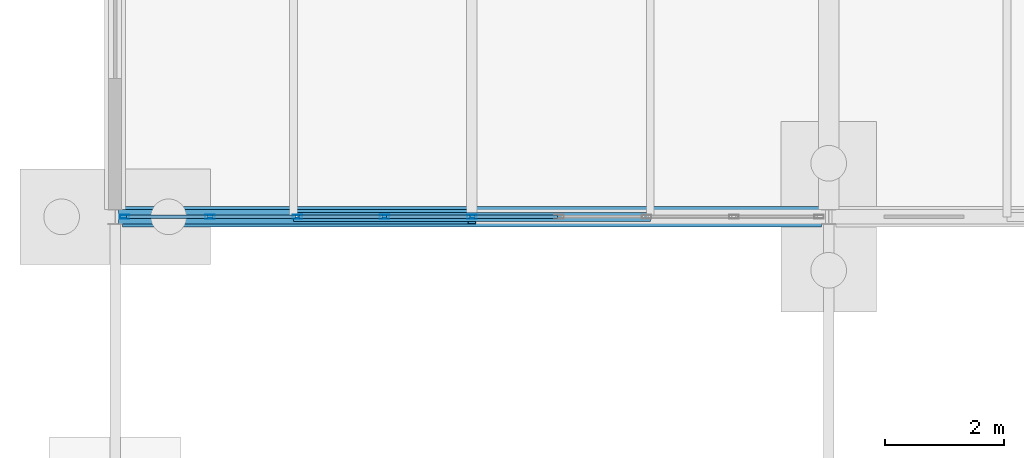
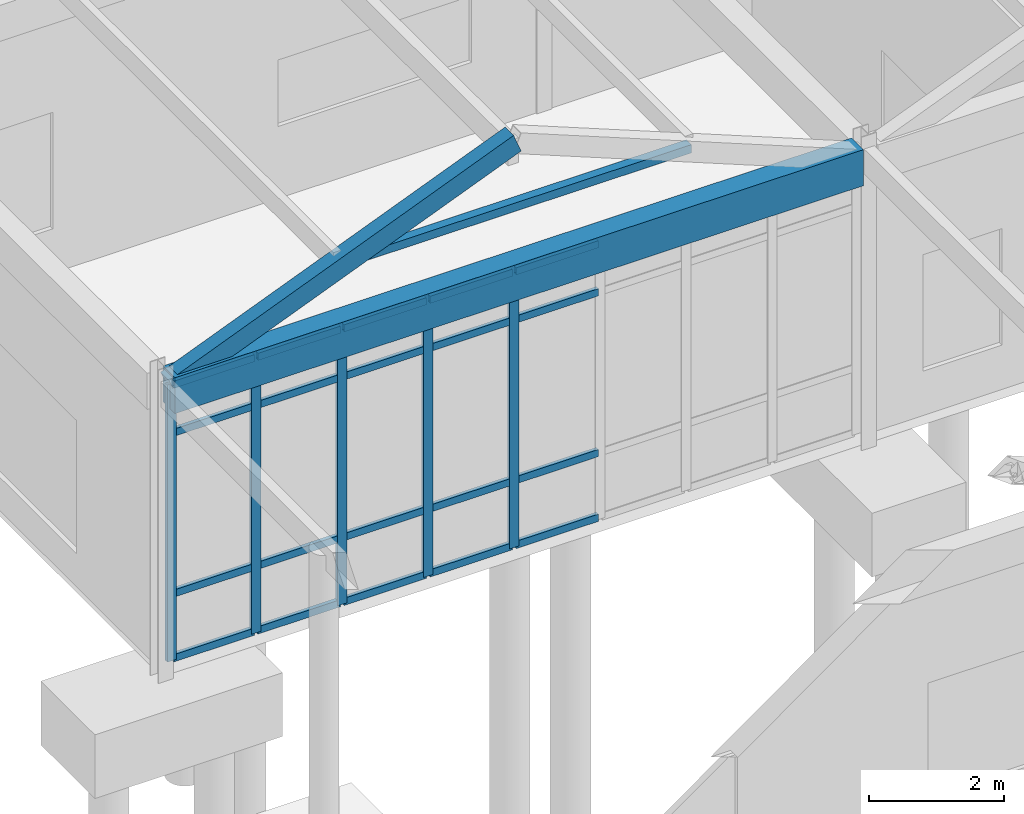
# One storey, part 41 of 188: 27 members, 1 beam, 1 element without a shape of its own.
"""IFC4 building model written with IfcOpenShell, lengths in metres."""

import ifcopenshell
import ifcopenshell.guid

model = None  # the IFC model being written
_history = None  # IfcOwnerHistory: only IFC2X3 demands one
_inside = {}  # id of a spatial element -> (the spatial element, [elements in it])
_under = {}  # id of a project, library or spatial element -> (it, [spatial elements below it])
_declared = {}  # id of a project -> (the project, [libraries it declares])
_typed = {}  # id of a type object -> (the type object, [elements of that type])
_made_of = {}  # id of a material, layer set ... -> (it, [elements and type objects made of it])


def new_model(schema):
    """Start an empty IFC model of exactly this schema.

    Asked for "IFC4X3", IfcOpenShell would pick the latest addendum, in which some entities
    have other attributes; the version numbers below select the first issue.
    IFC2X3 requires an IfcOwnerHistory on every rooted entity: one is made here for all.
    """
    global model, _history
    if schema == "IFC4X3":
        model = ifcopenshell.file(schema_version=(4, 3, 0, 0))
    else:
        model = ifcopenshell.file(schema=schema)
    _inside.clear()
    _under.clear()
    _declared.clear()
    _typed.clear()
    _made_of.clear()
    _history = None
    if model.schema == "IFC2X3":
        org = make("IfcOrganization", Name="unknown")
        user = make(
            "IfcPersonAndOrganization",
            ThePerson=make("IfcPerson", FamilyName="unknown"),
            TheOrganization=org,
        )
        app = make(
            "IfcApplication",
            ApplicationDeveloper=org,
            Version="unknown",
            ApplicationFullName="unknown",
            ApplicationIdentifier="unknown",
        )
        _history = make(
            "IfcOwnerHistory",
            OwningUser=user,
            OwningApplication=app,
            ChangeAction="ADDED",
            CreationDate=0,
        )
    return model


def make(cls, **values):
    """One entity of the class cls with the attributes given. An attribute that is None is left unset."""
    return model.create_entity(
        cls, **{name: value for name, value in values.items() if value is not None}
    )


def rooted(cls, **values):
    """An entity with a GlobalId (a new one), such as an element, a storey or a relation."""
    return make(cls, GlobalId=ifcopenshell.guid.new(), OwnerHistory=_history, **values)


def si_unit(unit_type, name, prefix=None):
    """IfcSIUnit, for example si_unit("LENGTHUNIT", "METRE", prefix="MILLI")."""
    return make("IfcSIUnit", UnitType=unit_type, Prefix=prefix, Name=name)


def assignment(units):
    """IfcUnitAssignment: the units of a project."""
    return None if units is None else make("IfcUnitAssignment", Units=units)


def point(xyz):
    """IfcCartesianPoint."""
    return None if xyz is None else make("IfcCartesianPoint", Coordinates=xyz)


def direction(xyz):
    """IfcDirection."""
    return None if xyz is None else make("IfcDirection", DirectionRatios=xyz)


def frame(location, z_axis=None, x_axis=None):
    """IfcAxis2Placement3D, a coordinate frame: its origin and axes. An axis left out is left unset."""
    return make(
        "IfcAxis2Placement3D",
        Location=point(location),
        Axis=direction(z_axis),
        RefDirection=direction(x_axis),
    )


def frame_2d(location, x_axis=None):
    """IfcAxis2Placement2D, a coordinate frame in the plane: its origin and x axis."""
    return make(
        "IfcAxis2Placement2D", Location=point(location), RefDirection=direction(x_axis)
    )


def origin():
    """The frame at (0, 0, 0) with its axes left unset."""
    return frame((0.0, 0.0, 0.0))


def origin_2d():
    """The frame at (0, 0) in the plane with its x axis left unset."""
    return frame_2d((0.0, 0.0))


def place(relative_to, where):
    """IfcLocalPlacement: puts the frame where relative to a parent placement (None: the world)."""
    return make(
        "IfcLocalPlacement", PlacementRelTo=relative_to, RelativePlacement=where
    )


def context(
    kind, dimensions, precision=None, world=None, true_north=None, identifier=None
):
    """IfcGeometricRepresentationContext, for example the 3D "Model" context."""
    return make(
        "IfcGeometricRepresentationContext",
        ContextIdentifier=identifier,
        ContextType=kind,
        CoordinateSpaceDimension=dimensions,
        Precision=precision,
        WorldCoordinateSystem=world,
        TrueNorth=true_north,
    )


def subcontext(parent, identifier, kind, view, scale=None):
    """IfcGeometricRepresentationSubContext, for example "Body" below "Model"."""
    return make(
        "IfcGeometricRepresentationSubContext",
        ContextIdentifier=identifier,
        ContextType=kind,
        ParentContext=parent,
        TargetScale=scale,
        TargetView=view,
    )


def project(units=None, contexts=None):
    """IfcProject with its units and contexts."""
    return rooted(
        "IfcProject",
        Name="project",
        RepresentationContexts=contexts,
        UnitsInContext=assignment(units),
    )


def spatial(cls, under=None, at=None, **own):
    """A site, building, storey or space (cls), placed at a placement, below another one or the project."""
    s = rooted(cls, ObjectPlacement=at, **own)
    if under is not None:
        _under.setdefault(under.id(), (under, []))[1].append(s)
    return s


def profile(cls, at=None, kind="AREA", **sizes):
    """A parametric profile (cls). Its sizes go by their IFC names, for example OverallWidth=200.0."""
    return make(cls, ProfileType=kind, Position=at, **sizes)


def rectangle(**sizes):
    """IfcRectangleProfileDef."""
    return profile("IfcRectangleProfileDef", **sizes)


def hollow_rectangle(**sizes):
    """IfcRectangleHollowProfileDef."""
    return profile("IfcRectangleHollowProfileDef", **sizes)


def extrude(swept, where, along, depth):
    """IfcExtrudedAreaSolid: the profile swept, set in the frame where, extruded along a direction by depth."""
    return make(
        "IfcExtrudedAreaSolid",
        SweptArea=swept,
        Position=where,
        ExtrudedDirection=direction(along),
        Depth=depth,
    )


def shape(context_of_items, identifier, shape_type, items):
    """IfcShapeRepresentation: the items that make up one representation, for example the "Body"."""
    return make(
        "IfcShapeRepresentation",
        ContextOfItems=context_of_items,
        RepresentationIdentifier=identifier,
        RepresentationType=shape_type,
        Items=items,
    )


def material(Name=None, Category=None):
    """IfcMaterial."""
    return make("IfcMaterial", Name=Name, Category=Category)


def layer(
    of_material, thickness, ventilated=None, Name=None, Category=None, Priority=None
):
    """IfcMaterialLayer: one layer of a wall or slab, of a material (None: an air gap)."""
    return make(
        "IfcMaterialLayer",
        Material=of_material,
        LayerThickness=thickness,
        IsVentilated=ventilated,
        Name=Name,
        Category=Category,
        Priority=Priority,
    )


def layer_set(layers, Name=None):
    """IfcMaterialLayerSet."""
    return make("IfcMaterialLayerSet", MaterialLayers=layers, LayerSetName=Name)


def material_profile(
    of_material, cross_section, Name=None, Category=None, Priority=None
):
    """IfcMaterialProfile: a cross section and its material."""
    return make(
        "IfcMaterialProfile",
        Name=Name,
        Material=of_material,
        Profile=cross_section,
        Priority=Priority,
        Category=Category,
    )


def profile_set(profiles, Name=None, composite=None):
    """IfcMaterialProfileSet."""
    return make(
        "IfcMaterialProfileSet",
        Name=Name,
        MaterialProfiles=profiles,
        CompositeProfile=composite,
    )


def made_of(thing, what):
    """Note that an element or type object is made of a material, layer set ...; save() writes the relation."""
    if what is not None:
        _made_of.setdefault(what.id(), (what, []))[1].append(thing)
    return thing


def type_object(cls, material=None, **own):
    """A type object (cls), such as IfcWallType, which elements share."""
    return made_of(rooted(cls, **own), material)


def element(
    cls,
    number,
    at=None,
    inside=None,
    cuts=None,
    type_object=None,
    material=None,
    context=None,
    identifier="Body",
    shape_type=None,
    held_by="IfcProductDefinitionShape",
    body=None,
    shapes=None,
    **own,
):
    """One element of the class cls, such as IfcWall. Its Tag is "e" and its number.

    at: its placement. inside: the storey or other place that contains it. cuts: it is an
    opening in that element (IfcRelVoidsElement). A single representation is given by context,
    identifier, shape_type and body (its items); several are given by shapes. held_by: the class
    of the entity that holds the representations. save() writes the other relations.
    """
    e = rooted(cls, Tag="e%d" % number, ObjectPlacement=at, **own)
    if body is not None:
        shapes = [shape(context, identifier, shape_type, body)]
    if shapes is not None:
        e.Representation = make(held_by, Representations=shapes)
    if inside is not None:
        _inside.setdefault(inside.id(), (inside, []))[1].append(e)
    if cuts is not None:
        rooted(
            "IfcRelVoidsElement", RelatingBuildingElement=cuts, RelatedOpeningElement=e
        )
    if type_object is not None:
        _typed.setdefault(type_object.id(), (type_object, []))[1].append(e)
    return made_of(e, material)


def aggregate(whole, parts):
    """IfcRelAggregates: a whole, such as a stair, and the parts it consists of."""
    return rooted("IfcRelAggregates", RelatingObject=whole, RelatedObjects=parts)


def save(model, path):
    """Write the relations noted so far, then the file.

    IfcRelAggregates (storeys below a building ...), IfcRelContainedInSpatialStructure (elements
    in a storey), IfcRelDefinesByType, IfcRelAssociatesMaterial and IfcRelDeclares: one each for
    every whole, place, type object, material and project.
    """
    for whole, parts in _under.values():
        aggregate(whole, parts)
    for where, things in _inside.values():
        rooted(
            "IfcRelContainedInSpatialStructure",
            RelatedElements=things,
            RelatingStructure=where,
        )
    for kind, things in _typed.values():
        rooted("IfcRelDefinesByType", RelatedObjects=things, RelatingType=kind)
    for what, things in _made_of.values():
        rooted("IfcRelAssociatesMaterial", RelatedObjects=things, RelatingMaterial=what)
    for by, libraries in _declared.values():
        rooted("IfcRelDeclares", RelatingContext=by, RelatedDefinitions=libraries)
    model.write(path)


model = new_model("IFC4")

# Units and contexts
model_context = context("Model", 3, precision=1e-05, world=origin(), true_north=direction((0.0, 1.0)))
body_context = subcontext(model_context, "Body", "Model", "MODEL_VIEW")
ifc_project = project(units=[si_unit("LENGTHUNIT", "METRE"), si_unit("AREAUNIT", "SQUARE_METRE"), si_unit("VOLUMEUNIT", "CUBIC_METRE"), si_unit("PLANEANGLEUNIT", "RADIAN"), si_unit("MASSUNIT", "GRAM", prefix="KILO")], contexts=[model_context])

# Site, building, storey
site_placement = place(None, origin())
site = spatial("IfcSite", under=ifc_project, at=site_placement, CompositionType="ELEMENT")
building_placement = place(site_placement, origin())
building = spatial("IfcBuilding", under=site, at=building_placement, Name="Pandanus Reach Market Hall", CompositionType="ELEMENT")
storey_placement = place(building_placement, origin())
storey = spatial("IfcBuildingStorey", under=building, at=storey_placement, Name="L00", CompositionType="ELEMENT", Elevation=0.0)

# Beam
ifc_material_1 = material(Name="Concrete N40 (40 MPa)", Category="concrete")
ifc_material_profile_1 = material_profile(ifc_material_1, rectangle(XDim=0.35009765625, YDim=0.64990234375, at=origin_2d()), Name="RC350x650", Category="LoadBearing")
ifc_profile_set_1 = profile_set([ifc_material_profile_1], Name="Concrete N40 (40 MPa)")
beam_type = type_object("IfcBeamType", Name="BM-RC350-E", PredefinedType="SPANDREL", material=ifc_profile_set_1)
beam_placement = place(storey_placement, frame((0.125, 57.60009765625, 4.8798828125), z_axis=(1.0, 0.0, 0.0), x_axis=(0.0, 1.0, 0.0)))
element("IfcBeam", 1, at=beam_placement, inside=storey, type_object=beam_type, Name="Framing beam BM-RC350-E L00.1164", PredefinedType="SPANDREL", context=body_context, shape_type="SweptSolid", body=[
    extrude(rectangle(XDim=0.35009765625, YDim=0.64990234375, at=origin_2d()), origin(), (0.0, 0.0, 1.0), 11.75),
])

# Member
ifc_material_2 = material(Name="Steel Grade 350 (350 MPa)", Category="steel")
ifc_material_profile_2 = material_profile(ifc_material_2, hollow_rectangle(XDim=0.14990234375, YDim=0.14990234375, WallThickness=0.009033203125, at=origin_2d()), Name="150x150x9.0SHS", Category="LoadBearing")
ifc_profile_set_2 = profile_set([ifc_material_profile_2], Name="Steel Grade 350 (350 MPa)")
member_type_1 = type_object("IfcMemberType", Name="CL-SHS150-I", PredefinedType="COLLAR", material=ifc_profile_set_2)
member_1_placement = place(storey_placement, frame((3.0, 57.60009765625, 6.166748046875), z_axis=(1.0, 0.0, 0.0), x_axis=(0.0, 1.0, 0.0)))
element("IfcMember", 2, at=member_1_placement, inside=storey, type_object=member_type_1, Name="Gable collar tie R2.B1", PredefinedType="COLLAR", context=body_context, shape_type="SweptSolid", body=[
    extrude(hollow_rectangle(XDim=0.14990234375, YDim=0.14990234375, WallThickness=0.009033203125, at=origin_2d()), origin(), (0.0, 0.0, 1.0), 6.0),
])

# Curtain wall, members
ifc_material_3 = material(Name="Bronze anodised aluminium and low-E glass", Category="aluminium")
ifc_layer = layer(ifc_material_3, 0.159912109375, Name="CW-07")
ifc_layer_set = layer_set([ifc_layer], Name="Bronze anodised aluminium and low-E glass")
curtain_wall_type = type_object("IfcCurtainWallType", Name="CW-07", PredefinedType="NOTDEFINED", material=ifc_layer_set)
curtain_wall_placement = place(storey_placement, origin())
curtain_wall = element("IfcCurtainWall", 3, at=curtain_wall_placement, inside=storey, type_object=curtain_wall_type, Name="Glazed curtain wall CW-07 CW-0041", PredefinedType="NOTDEFINED")
ifc_material_4 = material(Name="Bronze anodised aluminium", Category="aluminium")
ifc_material_profile_3 = material_profile(ifc_material_4, hollow_rectangle(XDim=0.06494140625, YDim=0.159912109375, WallThickness=0.00390625, at=origin_2d()), Name="ALU65x160", Category="LoadBearing")
ifc_profile_set_3 = profile_set([ifc_material_profile_3], Name="Bronze anodised aluminium")
member_type_2 = type_object("IfcMemberType", Name="CW-M1", PredefinedType="MULLION", material=ifc_profile_set_3)
member_2_placement = place(storey_placement, frame((0.159423828125, 57.60009765625, 0.0), z_axis=(0.0, 0.0, 1.0), x_axis=(0.0, 1.0, 0.0)))
member_2 = element("IfcMember", 4, at=member_2_placement, type_object=member_type_2, Name="CW-07 mullion 1", PredefinedType="MULLION", context=body_context, shape_type="SweptSolid", body=[
    extrude(hollow_rectangle(XDim=0.06494140625, YDim=0.159912109375, WallThickness=0.00390625, at=origin_2d()), origin(), (0.0, 0.0, 1.0), 5.0),
])
member_3_placement = place(storey_placement, frame((1.59521484375, 57.60009765625, 0.0), z_axis=(0.0, 0.0, 1.0), x_axis=(0.0, 1.0, 0.0)))
member_3 = element("IfcMember", 5, at=member_3_placement, type_object=member_type_2, Name="CW-07 mullion 2", PredefinedType="MULLION", context=body_context, shape_type="SweptSolid", body=[
    extrude(hollow_rectangle(XDim=0.06494140625, YDim=0.159912109375, WallThickness=0.00390625, at=origin_2d()), origin(), (0.0, 0.0, 1.0), 5.0),
])
member_4_placement = place(storey_placement, frame((3.0634765625, 57.60009765625, 0.0), z_axis=(0.0, 0.0, 1.0), x_axis=(0.0, 1.0, 0.0)))
member_4 = element("IfcMember", 6, at=member_4_placement, type_object=member_type_2, Name="CW-07 mullion 3", PredefinedType="MULLION", context=body_context, shape_type="SweptSolid", body=[
    extrude(hollow_rectangle(XDim=0.06494140625, YDim=0.159912109375, WallThickness=0.00390625, at=origin_2d()), origin(), (0.0, 0.0, 1.0), 5.0),
])
member_5_placement = place(storey_placement, frame((4.53173828125, 57.60009765625, 0.0), z_axis=(0.0, 0.0, 1.0), x_axis=(0.0, 1.0, 0.0)))
member_5 = element("IfcMember", 7, at=member_5_placement, type_object=member_type_2, Name="CW-07 mullion 4", PredefinedType="MULLION", context=body_context, shape_type="SweptSolid", body=[
    extrude(hollow_rectangle(XDim=0.06494140625, YDim=0.159912109375, WallThickness=0.00390625, at=origin_2d()), origin(), (0.0, 0.0, 1.0), 5.0),
])
member_6_placement = place(storey_placement, frame((6.0, 57.60009765625, 0.0), z_axis=(0.0, 0.0, 1.0), x_axis=(0.0, 1.0, 0.0)))
member_6 = element("IfcMember", 8, at=member_6_placement, type_object=member_type_2, Name="CW-07 mullion 5", PredefinedType="MULLION", context=body_context, shape_type="SweptSolid", body=[
    extrude(hollow_rectangle(XDim=0.06494140625, YDim=0.159912109375, WallThickness=0.00390625, at=origin_2d()), origin(), (0.0, 0.0, 1.0), 5.0),
])
ifc_material_profile_4 = material_profile(ifc_material_4, hollow_rectangle(XDim=0.06494140625, YDim=0.1298828125, WallThickness=0.00390625, at=origin_2d()), Name="ALU65x130", Category="LoadBearing")
ifc_profile_set_4 = profile_set([ifc_material_profile_4], Name="Bronze anodised aluminium")
member_type_3 = type_object("IfcMemberType", Name="CW-T1", PredefinedType="USERDEFINED", material=ifc_profile_set_4)
member_7_placement = place(storey_placement, frame((0.19189453125, 57.60009765625, 0.032470703125), z_axis=(1.0, 0.0, 0.0), x_axis=(0.0, 1.0, 0.0)))
member_7 = element("IfcMember", 9, at=member_7_placement, type_object=member_type_3, Name="CW-07 transom 1.1", ObjectType="TRANSOM", PredefinedType="USERDEFINED", context=body_context, shape_type="SweptSolid", body=[
    extrude(hollow_rectangle(XDim=0.06494140625, YDim=0.1298828125, WallThickness=0.00390625, at=origin_2d()), origin(), (0.0, 0.0, 1.0), 1.370849609375),
])
member_8_placement = place(storey_placement, frame((0.19189453125, 57.60009765625, 1.199951171875), z_axis=(1.0, 0.0, 0.0), x_axis=(0.0, 1.0, 0.0)))
member_8 = element("IfcMember", 10, at=member_8_placement, type_object=member_type_3, Name="CW-07 transom 1.2", ObjectType="TRANSOM", PredefinedType="USERDEFINED", context=body_context, shape_type="SweptSolid", body=[
    extrude(hollow_rectangle(XDim=0.06494140625, YDim=0.1298828125, WallThickness=0.00390625, at=origin_2d()), origin(), (0.0, 0.0, 1.0), 1.370849609375),
])
member_9_placement = place(storey_placement, frame((0.19189453125, 57.60009765625, 4.10009765625), z_axis=(1.0, 0.0, 0.0), x_axis=(0.0, 1.0, 0.0)))
member_9 = element("IfcMember", 11, at=member_9_placement, type_object=member_type_3, Name="CW-07 transom 1.3", ObjectType="TRANSOM", PredefinedType="USERDEFINED", context=body_context, shape_type="SweptSolid", body=[
    extrude(hollow_rectangle(XDim=0.06494140625, YDim=0.1298828125, WallThickness=0.00390625, at=origin_2d()), origin(), (0.0, 0.0, 1.0), 1.370849609375),
])
member_10_placement = place(storey_placement, frame((0.19189453125, 57.60009765625, 4.967529296875), z_axis=(1.0, 0.0, 0.0), x_axis=(0.0, 1.0, 0.0)))
member_10 = element("IfcMember", 12, at=member_10_placement, type_object=member_type_3, Name="CW-07 transom 1.4", ObjectType="TRANSOM", PredefinedType="USERDEFINED", context=body_context, shape_type="SweptSolid", body=[
    extrude(hollow_rectangle(XDim=0.06494140625, YDim=0.1298828125, WallThickness=0.00390625, at=origin_2d()), origin(), (0.0, 0.0, 1.0), 1.370849609375),
])
member_11_placement = place(storey_placement, frame((1.627685546875, 57.60009765625, 0.032470703125), z_axis=(1.0, 0.0, 0.0), x_axis=(0.0, 1.0, 0.0)))
member_11 = element("IfcMember", 13, at=member_11_placement, type_object=member_type_3, Name="CW-07 transom 2.1", ObjectType="TRANSOM", PredefinedType="USERDEFINED", context=body_context, shape_type="SweptSolid", body=[
    extrude(hollow_rectangle(XDim=0.06494140625, YDim=0.1298828125, WallThickness=0.00390625, at=origin_2d()), origin(), (0.0, 0.0, 1.0), 1.4033203125),
])
member_12_placement = place(storey_placement, frame((1.627685546875, 57.60009765625, 1.199951171875), z_axis=(1.0, 0.0, 0.0), x_axis=(0.0, 1.0, 0.0)))
member_12 = element("IfcMember", 14, at=member_12_placement, type_object=member_type_3, Name="CW-07 transom 2.2", ObjectType="TRANSOM", PredefinedType="USERDEFINED", context=body_context, shape_type="SweptSolid", body=[
    extrude(hollow_rectangle(XDim=0.06494140625, YDim=0.1298828125, WallThickness=0.00390625, at=origin_2d()), origin(), (0.0, 0.0, 1.0), 1.4033203125),
])
member_13_placement = place(storey_placement, frame((1.627685546875, 57.60009765625, 4.10009765625), z_axis=(1.0, 0.0, 0.0), x_axis=(0.0, 1.0, 0.0)))
member_13 = element("IfcMember", 15, at=member_13_placement, type_object=member_type_3, Name="CW-07 transom 2.3", ObjectType="TRANSOM", PredefinedType="USERDEFINED", context=body_context, shape_type="SweptSolid", body=[
    extrude(hollow_rectangle(XDim=0.06494140625, YDim=0.1298828125, WallThickness=0.00390625, at=origin_2d()), origin(), (0.0, 0.0, 1.0), 1.4033203125),
])
member_14_placement = place(storey_placement, frame((1.627685546875, 57.60009765625, 4.967529296875), z_axis=(1.0, 0.0, 0.0), x_axis=(0.0, 1.0, 0.0)))
member_14 = element("IfcMember", 16, at=member_14_placement, type_object=member_type_3, Name="CW-07 transom 2.4", ObjectType="TRANSOM", PredefinedType="USERDEFINED", context=body_context, shape_type="SweptSolid", body=[
    extrude(hollow_rectangle(XDim=0.06494140625, YDim=0.1298828125, WallThickness=0.00390625, at=origin_2d()), origin(), (0.0, 0.0, 1.0), 1.4033203125),
])
member_15_placement = place(storey_placement, frame((3.095947265625, 57.60009765625, 0.032470703125), z_axis=(1.0, 0.0, 0.0), x_axis=(0.0, 1.0, 0.0)))
member_15 = element("IfcMember", 17, at=member_15_placement, type_object=member_type_3, Name="CW-07 transom 3.1", ObjectType="TRANSOM", PredefinedType="USERDEFINED", context=body_context, shape_type="SweptSolid", body=[
    extrude(hollow_rectangle(XDim=0.06494140625, YDim=0.1298828125, WallThickness=0.00390625, at=origin_2d()), origin(), (0.0, 0.0, 1.0), 1.4033203125),
])
member_16_placement = place(storey_placement, frame((3.095947265625, 57.60009765625, 1.199951171875), z_axis=(1.0, 0.0, 0.0), x_axis=(0.0, 1.0, 0.0)))
member_16 = element("IfcMember", 18, at=member_16_placement, type_object=member_type_3, Name="CW-07 transom 3.2", ObjectType="TRANSOM", PredefinedType="USERDEFINED", context=body_context, shape_type="SweptSolid", body=[
    extrude(hollow_rectangle(XDim=0.06494140625, YDim=0.1298828125, WallThickness=0.00390625, at=origin_2d()), origin(), (0.0, 0.0, 1.0), 1.4033203125),
])
member_17_placement = place(storey_placement, frame((3.095947265625, 57.60009765625, 4.10009765625), z_axis=(1.0, 0.0, 0.0), x_axis=(0.0, 1.0, 0.0)))
member_17 = element("IfcMember", 19, at=member_17_placement, type_object=member_type_3, Name="CW-07 transom 3.3", ObjectType="TRANSOM", PredefinedType="USERDEFINED", context=body_context, shape_type="SweptSolid", body=[
    extrude(hollow_rectangle(XDim=0.06494140625, YDim=0.1298828125, WallThickness=0.00390625, at=origin_2d()), origin(), (0.0, 0.0, 1.0), 1.4033203125),
])
member_18_placement = place(storey_placement, frame((3.095947265625, 57.60009765625, 4.967529296875), z_axis=(1.0, 0.0, 0.0), x_axis=(0.0, 1.0, 0.0)))
member_18 = element("IfcMember", 20, at=member_18_placement, type_object=member_type_3, Name="CW-07 transom 3.4", ObjectType="TRANSOM", PredefinedType="USERDEFINED", context=body_context, shape_type="SweptSolid", body=[
    extrude(hollow_rectangle(XDim=0.06494140625, YDim=0.1298828125, WallThickness=0.00390625, at=origin_2d()), origin(), (0.0, 0.0, 1.0), 1.4033203125),
])
member_19_placement = place(storey_placement, frame((4.564208984375, 57.60009765625, 0.032470703125), z_axis=(1.0, 0.0, 0.0), x_axis=(0.0, 1.0, 0.0)))
member_19 = element("IfcMember", 21, at=member_19_placement, type_object=member_type_3, Name="CW-07 transom 4.1", ObjectType="TRANSOM", PredefinedType="USERDEFINED", context=body_context, shape_type="SweptSolid", body=[
    extrude(hollow_rectangle(XDim=0.06494140625, YDim=0.1298828125, WallThickness=0.00390625, at=origin_2d()), origin(), (0.0, 0.0, 1.0), 1.4033203125),
])
member_20_placement = place(storey_placement, frame((4.564208984375, 57.60009765625, 1.199951171875), z_axis=(1.0, 0.0, 0.0), x_axis=(0.0, 1.0, 0.0)))
member_20 = element("IfcMember", 22, at=member_20_placement, type_object=member_type_3, Name="CW-07 transom 4.2", ObjectType="TRANSOM", PredefinedType="USERDEFINED", context=body_context, shape_type="SweptSolid", body=[
    extrude(hollow_rectangle(XDim=0.06494140625, YDim=0.1298828125, WallThickness=0.00390625, at=origin_2d()), origin(), (0.0, 0.0, 1.0), 1.4033203125),
])
member_21_placement = place(storey_placement, frame((4.564208984375, 57.60009765625, 4.10009765625), z_axis=(1.0, 0.0, 0.0), x_axis=(0.0, 1.0, 0.0)))
member_21 = element("IfcMember", 23, at=member_21_placement, type_object=member_type_3, Name="CW-07 transom 4.3", ObjectType="TRANSOM", PredefinedType="USERDEFINED", context=body_context, shape_type="SweptSolid", body=[
    extrude(hollow_rectangle(XDim=0.06494140625, YDim=0.1298828125, WallThickness=0.00390625, at=origin_2d()), origin(), (0.0, 0.0, 1.0), 1.4033203125),
])
member_22_placement = place(storey_placement, frame((4.564208984375, 57.60009765625, 4.967529296875), z_axis=(1.0, 0.0, 0.0), x_axis=(0.0, 1.0, 0.0)))
member_22 = element("IfcMember", 24, at=member_22_placement, type_object=member_type_3, Name="CW-07 transom 4.4", ObjectType="TRANSOM", PredefinedType="USERDEFINED", context=body_context, shape_type="SweptSolid", body=[
    extrude(hollow_rectangle(XDim=0.06494140625, YDim=0.1298828125, WallThickness=0.00390625, at=origin_2d()), origin(), (0.0, 0.0, 1.0), 1.4033203125),
])
member_23_placement = place(storey_placement, frame((6.032470703125, 57.60009765625, 0.032470703125), z_axis=(1.0, 0.0, 0.0), x_axis=(0.0, 1.0, 0.0)))
member_23 = element("IfcMember", 25, at=member_23_placement, type_object=member_type_3, Name="CW-07 transom 5.1", ObjectType="TRANSOM", PredefinedType="USERDEFINED", context=body_context, shape_type="SweptSolid", body=[
    extrude(hollow_rectangle(XDim=0.06494140625, YDim=0.1298828125, WallThickness=0.00390625, at=origin_2d()), origin(), (0.0, 0.0, 1.0), 1.4033203125),
])
member_24_placement = place(storey_placement, frame((6.032470703125, 57.60009765625, 1.199951171875), z_axis=(1.0, 0.0, 0.0), x_axis=(0.0, 1.0, 0.0)))
member_24 = element("IfcMember", 26, at=member_24_placement, type_object=member_type_3, Name="CW-07 transom 5.2", ObjectType="TRANSOM", PredefinedType="USERDEFINED", context=body_context, shape_type="SweptSolid", body=[
    extrude(hollow_rectangle(XDim=0.06494140625, YDim=0.1298828125, WallThickness=0.00390625, at=origin_2d()), origin(), (0.0, 0.0, 1.0), 1.4033203125),
])
member_25_placement = place(storey_placement, frame((6.032470703125, 57.60009765625, 4.10009765625), z_axis=(1.0, 0.0, 0.0), x_axis=(0.0, 1.0, 0.0)))
member_25 = element("IfcMember", 27, at=member_25_placement, type_object=member_type_3, Name="CW-07 transom 5.3", ObjectType="TRANSOM", PredefinedType="USERDEFINED", context=body_context, shape_type="SweptSolid", body=[
    extrude(hollow_rectangle(XDim=0.06494140625, YDim=0.1298828125, WallThickness=0.00390625, at=origin_2d()), origin(), (0.0, 0.0, 1.0), 1.4033203125),
])
member_26_placement = place(storey_placement, frame((6.032470703125, 57.60009765625, 4.967529296875), z_axis=(1.0, 0.0, 0.0), x_axis=(0.0, 1.0, 0.0)))
member_26 = element("IfcMember", 28, at=member_26_placement, type_object=member_type_3, Name="CW-07 transom 5.4", ObjectType="TRANSOM", PredefinedType="USERDEFINED", context=body_context, shape_type="SweptSolid", body=[
    extrude(hollow_rectangle(XDim=0.06494140625, YDim=0.1298828125, WallThickness=0.00390625, at=origin_2d()), origin(), (0.0, 0.0, 1.0), 1.4033203125),
])
aggregate(curtain_wall, [member_2, member_3, member_4, member_5, member_6, member_7, member_8, member_9, member_10, member_11, member_12, member_13, member_14, member_15, member_16, member_17, member_18, member_19, member_20, member_21, member_22, member_23, member_24, member_25, member_26])

# Member
ifc_material_profile_5 = material_profile(ifc_material_2, hollow_rectangle(XDim=0.25, YDim=0.35009765625, WallThickness=0.012451171875, at=origin_2d()), Name="350x250x12.5RHS", Category="LoadBearing")
ifc_profile_set_5 = profile_set([ifc_material_profile_5], Name="Steel Grade 350 (350 MPa)")
member_type_4 = type_object("IfcMemberType", Name="RF-RHS350-E", PredefinedType="RAFTER", material=ifc_profile_set_5)
member_27_placement = place(storey_placement, frame((0.1201171875, 57.60009765625, 4.985107421875), z_axis=(0.927845665363, 0.0, 0.372964369971), x_axis=(0.0, 1.0, 0.0)))
element("IfcMember", 29, at=member_27_placement, inside=storey, type_object=member_type_4, Name="Steep gable rafter R2.B1W", PredefinedType="RAFTER", context=body_context, shape_type="SweptSolid", body=[
    extrude(hollow_rectangle(XDim=0.25, YDim=0.35009765625, WallThickness=0.012451171875, at=origin_2d()), origin(), (0.0, 0.0, 1.0), 6.337158203125),
])

save(model, "model.ifc")
